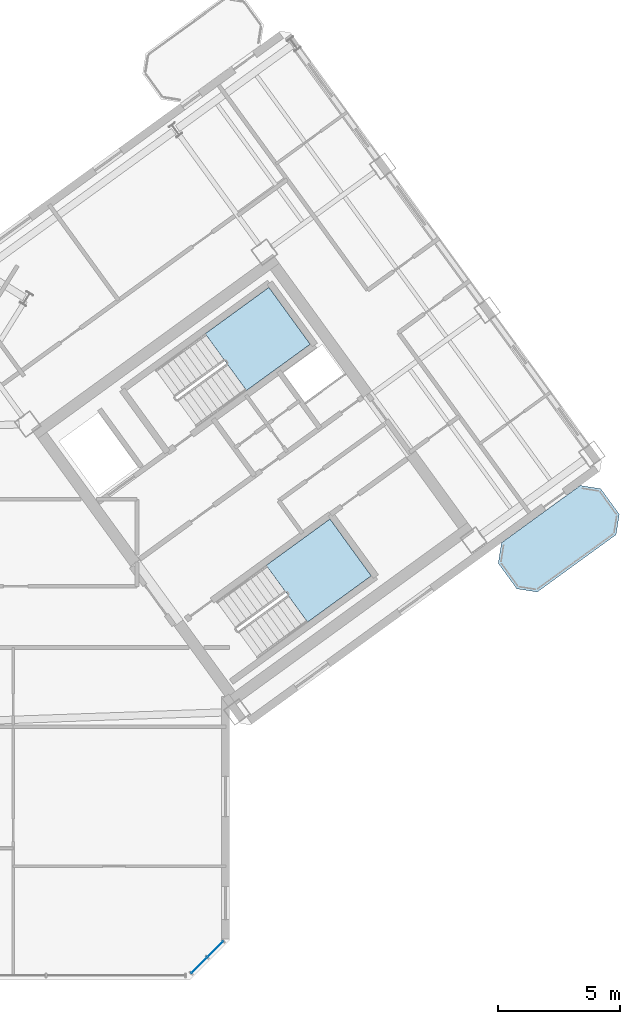
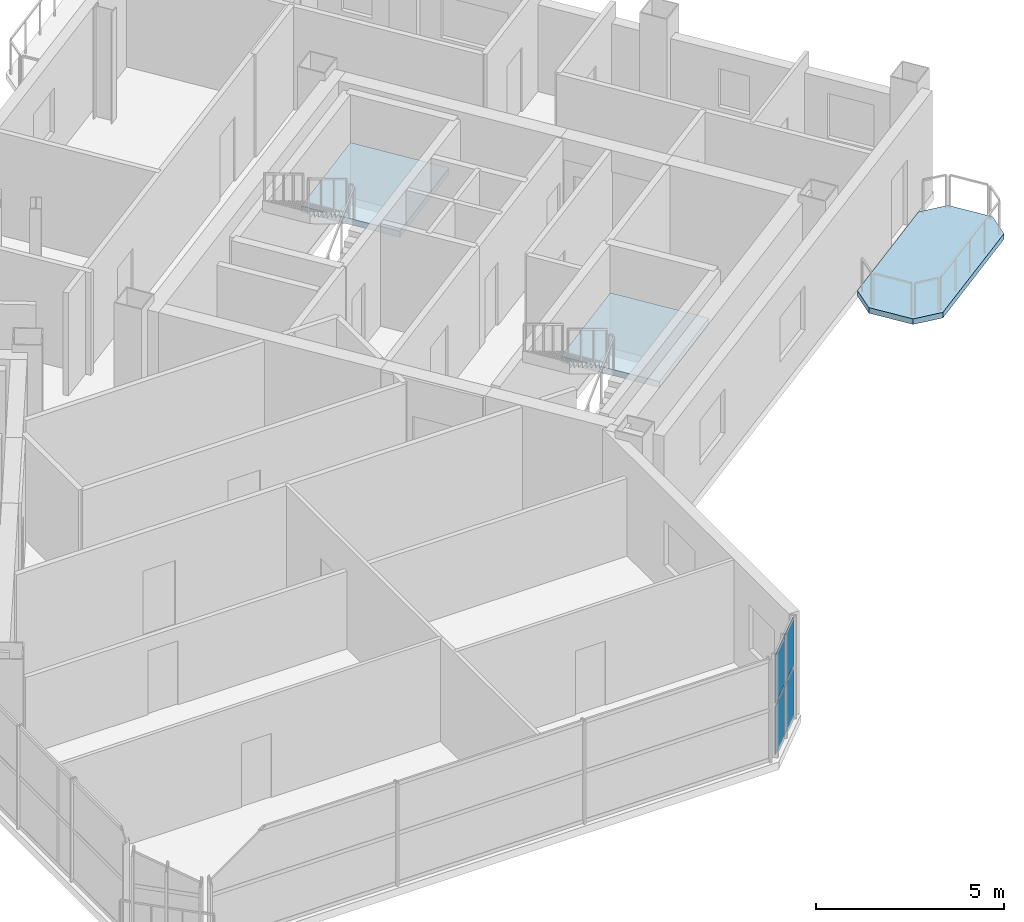
# One storey, part 10 of 20: 4 plates, 3 slabs, 3 elements without a shape of their own.
"""IFC4 building model written with IfcOpenShell, lengths in metres."""

from ifc_helpers import new_model, si_unit, direction, frame, origin, origin_2d, place, context, subcontext, project, spatial, polyline, rectangle, outline, extrude, source, transform, mapped, material, layer, layer_set, type_object, element, aggregate, save


model = new_model("IFC4")

# Units and contexts
model_context = context("Model", 3, precision=1e-05, world=origin(), true_north=direction((0.0, 1.0)))
body_context = subcontext(model_context, "Body", "Model", "MODEL_VIEW")
ifc_project = project(units=[si_unit("LENGTHUNIT", "METRE"), si_unit("AREAUNIT", "SQUARE_METRE"), si_unit("VOLUMEUNIT", "CUBIC_METRE"), si_unit("PLANEANGLEUNIT", "RADIAN"), si_unit("MASSUNIT", "GRAM", prefix="KILO")], contexts=[model_context])

# Site, building, storey
site_placement = place(None, origin())
site = spatial("IfcSite", under=ifc_project, at=site_placement, CompositionType="ELEMENT")
building_placement = place(site_placement, origin())
building = spatial("IfcBuilding", under=site, at=building_placement, Name="Tlacorven Tower", CompositionType="ELEMENT")
storey_placement = place(building_placement, frame((0.0, 0.0, 211.199951171875)))
storey = spatial("IfcBuildingStorey", under=building, at=storey_placement, Name="L53", CompositionType="ELEMENT", Elevation=211.199951171875)

# Slab
ifc_material_1 = material(Name="Precast concrete C45/55", Category="concrete")
ifc_layer_1 = layer(ifc_material_1, 0.179931640625)
ifc_layer_set_1 = layer_set([ifc_layer_1], Name="Precast concrete C45/55")
slab_type_1 = type_object("IfcSlabType", Name="SL-BAL-180", PredefinedType="USERDEFINED", material=ifc_layer_set_1)
slab_1_placement = place(storey_placement, frame((0.0, 0.0, -0.179931640625)))
element("IfcSlab", 1, at=slab_1_placement, inside=storey, type_object=slab_type_1, Name="L53 East Wing Balcony Ribbon OUT", ObjectType="BALCONY SLAB", PredefinedType="USERDEFINED", context=body_context, shape_type="SweptSolid", body=[
    extrude(outline(polyline([(65.025634765625, 17.69482421875), (68.26171875, 20.046142578125), (68.394287109375, 20.884033203125), (67.633056640625, 21.931884765625), (66.795166015625, 22.064453125), (63.55908203125, 19.71337890625), (63.42626953125, 18.875244140625), (64.1875, 17.82763671875), (65.025634765625, 17.69482421875)])), origin(), (0.0, 0.0, 1.0), 0.179931640625),
])

# Stair, slab
ifc_material_2 = material(Name="Concrete C40/50", Category="concrete")
stair_type = type_object("IfcStairType", Name="ST-CORE-DLG", PredefinedType="HALF_TURN_STAIR", material=ifc_material_2)
stair_1_placement = place(storey_placement, origin())
stair_1 = element("IfcStair", 2, at=stair_1_placement, inside=storey, type_object=stair_type, Name="L53 Protected Exit Stair East 1", PredefinedType="HALF_TURN_STAIR")
ifc_layer_2 = layer(ifc_material_2, 0.199951171875)
ifc_layer_set_2 = layer_set([ifc_layer_2], Name="Concrete C40/50")
slab_type_2 = type_object("IfcSlabType", Name="SL-LND-200", PredefinedType="LANDING", material=ifc_layer_set_2)
slab_2_placement = place(storey_placement, frame((0.0, 0.0, 1.60009765625)))
slab_2 = element("IfcSlab", 3, at=slab_2_placement, type_object=slab_type_2, Name="ST-E1 landing 1", PredefinedType="LANDING", context=body_context, shape_type="SweptSolid", body=[
    extrude(outline(polyline([(53.09765625, 25.962890625), (55.7109375, 27.861572265625), (54.01806640625, 30.19140625), (51.40478515625, 28.29296875), (53.09765625, 25.962890625)])), origin(), (0.0, 0.0, 1.0), 0.199951171875),
])
aggregate(stair_1, [slab_2])

stair_2_placement = place(storey_placement, origin())
stair_2 = element("IfcStair", 4, at=stair_2_placement, inside=storey, type_object=stair_type, Name="L53 Protected Exit Stair East 2", PredefinedType="HALF_TURN_STAIR")
slab_3_placement = place(storey_placement, frame((0.0, 0.0, 1.60009765625)))
slab_3 = element("IfcSlab", 5, at=slab_3_placement, type_object=slab_type_2, Name="ST-E2 landing 1", PredefinedType="LANDING", context=body_context, shape_type="SweptSolid", body=[
    extrude(outline(polyline([(55.601806640625, 16.4599609375), (58.21484375, 18.3583984375), (56.52197265625, 20.6884765625), (53.908935546875, 18.789794921875), (55.601806640625, 16.4599609375)])), origin(), (0.0, 0.0, 1.0), 0.199951171875),
])
aggregate(stair_2, [slab_3])

# Curtain wall, plates
ifc_material_3 = material(Name="Dark solar low-E double glazing in aluminium frame", Category="aluminium")
curtain_wall_type = type_object("IfcCurtainWallType", Name="CW-TWR-HIGH", PredefinedType="USERDEFINED", material=ifc_material_3)
curtain_wall_placement = place(storey_placement, origin())
curtain_wall = element("IfcCurtainWall", 6, at=curtain_wall_placement, inside=storey, type_object=curtain_wall_type, Name="L53 CW-TWR-HIGH Curtain Wall 240", ObjectType="UNITISED CURTAIN WALL", PredefinedType="USERDEFINED")
ifc_material_4 = material(Name="High-wind dark solar tempered low-E glazing", Category="glass")
ifc_layer_3 = layer(ifc_material_4, 0.028076171875)
ifc_layer_set_3 = layer_set([ifc_layer_3], Name="High-wind dark solar tempered low-E glazing")
plate_type = type_object("IfcPlateType", Name="CWP-03", PredefinedType="CURTAIN_PANEL", material=ifc_layer_set_3)
shared_shape = source(origin(), body_context, "Body", "SweptSolid", [
    extrude(rectangle(XDim=0.89306640625, YDim=0.028076171875, at=origin_2d()), origin(), (0.0, 0.0, 1.0), 1.572998046875),
])
plate_1_placement = place(storey_placement, frame((51.8173828125, 3.043701171875, 0.05126953125), z_axis=(0.0, 0.0, 1.0), x_axis=(-0.707106781187, -0.707106781187, 0.0)))
plate_1 = element("IfcPlate", 7, at=plate_1_placement, type_object=plate_type, Name="CW-L53-240 Glazing Panel 1", PredefinedType="CURTAIN_PANEL", context=body_context, shape_type="MappedRepresentation", body=[
    mapped(shared_shape, transform((0.0, 0.0, 0.0), scale=1.0)),
])
plate_2_placement = place(storey_placement, frame((51.8173828125, 3.043701171875, 1.72607421875), z_axis=(0.0, 0.0, 1.0), x_axis=(-0.707106781187, -0.707106781187, 0.0)))
plate_2 = element("IfcPlate", 8, at=plate_2_placement, type_object=plate_type, Name="CW-L53-240 Glazing Panel 2", PredefinedType="CURTAIN_PANEL", context=body_context, shape_type="MappedRepresentation", body=[
    mapped(shared_shape, transform((0.0, 0.0, 0.0), scale=1.0)),
])
plate_3_placement = place(storey_placement, frame((51.15625, 2.382568359375, 0.05126953125), z_axis=(0.0, 0.0, 1.0), x_axis=(-0.707106781187, -0.707106781187, 0.0)))
plate_3 = element("IfcPlate", 9, at=plate_3_placement, type_object=plate_type, Name="CW-L53-240 Glazing Panel 3", PredefinedType="CURTAIN_PANEL", context=body_context, shape_type="MappedRepresentation", body=[
    mapped(shared_shape, transform((0.0, 0.0, 0.0), scale=1.0)),
])
plate_4_placement = place(storey_placement, frame((51.15625, 2.382568359375, 1.72607421875), z_axis=(0.0, 0.0, 1.0), x_axis=(-0.707106781187, -0.707106781187, 0.0)))
plate_4 = element("IfcPlate", 10, at=plate_4_placement, type_object=plate_type, Name="CW-L53-240 Glazing Panel 4", PredefinedType="CURTAIN_PANEL", context=body_context, shape_type="MappedRepresentation", body=[
    mapped(shared_shape, transform((0.0, 0.0, 0.0), scale=1.0)),
])
aggregate(curtain_wall, [plate_1, plate_2, plate_3, plate_4])

save(model, "model.ifc")
